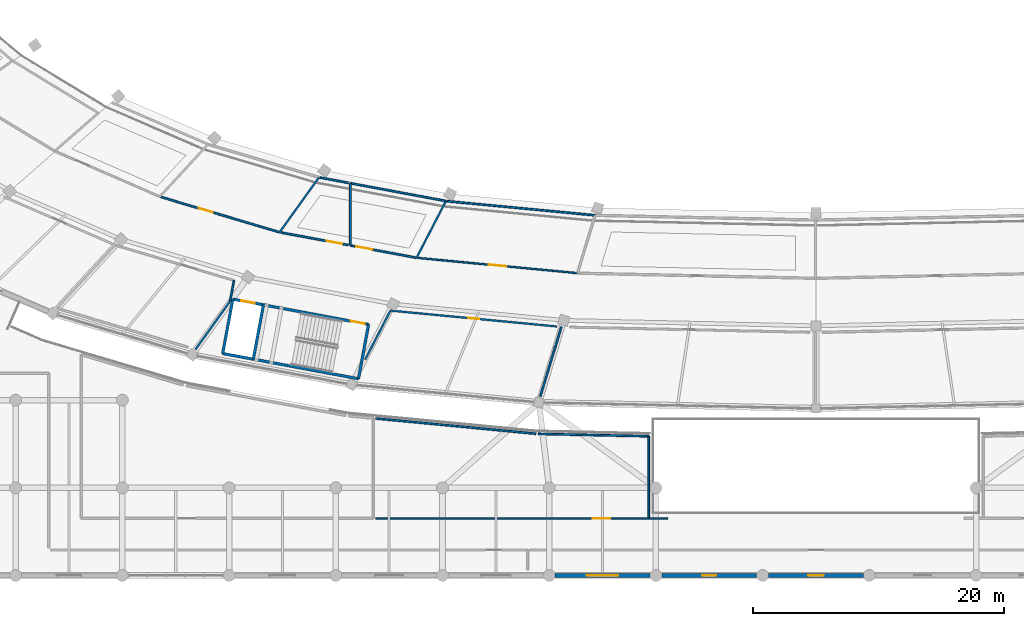
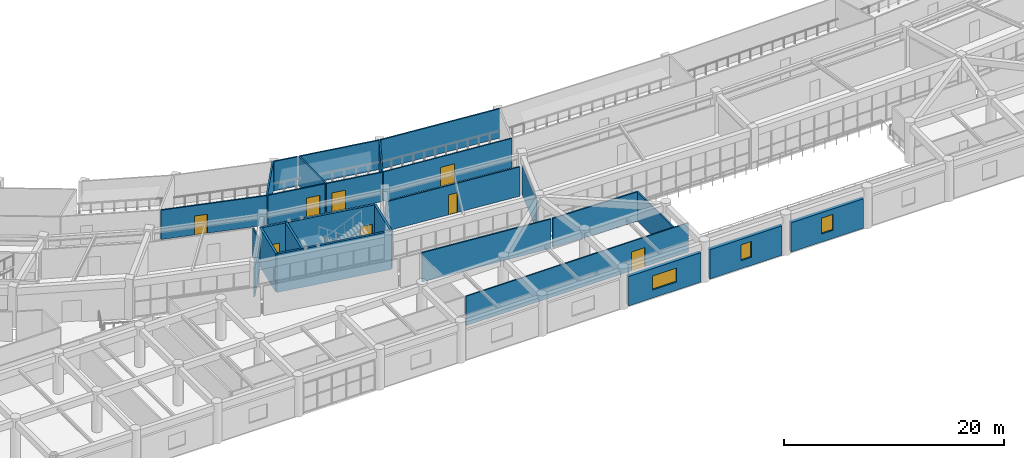
# One storey, part 92 of 141: 27 walls, 8 doors, 3 windows, 11 openings.
"""IFC4 building model written with IfcOpenShell, lengths in metres."""

import ifcopenshell
import ifcopenshell.guid

model = None  # the IFC model being written
_history = None  # IfcOwnerHistory: only IFC2X3 demands one
_inside = {}  # id of a spatial element -> (the spatial element, [elements in it])
_under = {}  # id of a project, library or spatial element -> (it, [spatial elements below it])
_declared = {}  # id of a project -> (the project, [libraries it declares])
_typed = {}  # id of a type object -> (the type object, [elements of that type])
_made_of = {}  # id of a material, layer set ... -> (it, [elements and type objects made of it])


def new_model(schema):
    """Start an empty IFC model of exactly this schema.

    Asked for "IFC4X3", IfcOpenShell would pick the latest addendum, in which some entities
    have other attributes; the version numbers below select the first issue.
    IFC2X3 requires an IfcOwnerHistory on every rooted entity: one is made here for all.
    """
    global model, _history
    if schema == "IFC4X3":
        model = ifcopenshell.file(schema_version=(4, 3, 0, 0))
    else:
        model = ifcopenshell.file(schema=schema)
    _inside.clear()
    _under.clear()
    _declared.clear()
    _typed.clear()
    _made_of.clear()
    _history = None
    if model.schema == "IFC2X3":
        org = make("IfcOrganization", Name="unknown")
        user = make(
            "IfcPersonAndOrganization",
            ThePerson=make("IfcPerson", FamilyName="unknown"),
            TheOrganization=org,
        )
        app = make(
            "IfcApplication",
            ApplicationDeveloper=org,
            Version="unknown",
            ApplicationFullName="unknown",
            ApplicationIdentifier="unknown",
        )
        _history = make(
            "IfcOwnerHistory",
            OwningUser=user,
            OwningApplication=app,
            ChangeAction="ADDED",
            CreationDate=0,
        )
    return model


def make(cls, **values):
    """One entity of the class cls with the attributes given. An attribute that is None is left unset."""
    return model.create_entity(
        cls, **{name: value for name, value in values.items() if value is not None}
    )


def rooted(cls, **values):
    """An entity with a GlobalId (a new one), such as an element, a storey or a relation."""
    return make(cls, GlobalId=ifcopenshell.guid.new(), OwnerHistory=_history, **values)


def si_unit(unit_type, name, prefix=None):
    """IfcSIUnit, for example si_unit("LENGTHUNIT", "METRE", prefix="MILLI")."""
    return make("IfcSIUnit", UnitType=unit_type, Prefix=prefix, Name=name)


def assignment(units):
    """IfcUnitAssignment: the units of a project."""
    return None if units is None else make("IfcUnitAssignment", Units=units)


def point(xyz):
    """IfcCartesianPoint."""
    return None if xyz is None else make("IfcCartesianPoint", Coordinates=xyz)


def direction(xyz):
    """IfcDirection."""
    return None if xyz is None else make("IfcDirection", DirectionRatios=xyz)


def frame(location, z_axis=None, x_axis=None):
    """IfcAxis2Placement3D, a coordinate frame: its origin and axes. An axis left out is left unset."""
    return make(
        "IfcAxis2Placement3D",
        Location=point(location),
        Axis=direction(z_axis),
        RefDirection=direction(x_axis),
    )


def frame_2d(location, x_axis=None):
    """IfcAxis2Placement2D, a coordinate frame in the plane: its origin and x axis."""
    return make(
        "IfcAxis2Placement2D", Location=point(location), RefDirection=direction(x_axis)
    )


def origin():
    """The frame at (0, 0, 0) with its axes left unset."""
    return frame((0.0, 0.0, 0.0))


def place(relative_to, where):
    """IfcLocalPlacement: puts the frame where relative to a parent placement (None: the world)."""
    return make(
        "IfcLocalPlacement", PlacementRelTo=relative_to, RelativePlacement=where
    )


def context(
    kind, dimensions, precision=None, world=None, true_north=None, identifier=None
):
    """IfcGeometricRepresentationContext, for example the 3D "Model" context."""
    return make(
        "IfcGeometricRepresentationContext",
        ContextIdentifier=identifier,
        ContextType=kind,
        CoordinateSpaceDimension=dimensions,
        Precision=precision,
        WorldCoordinateSystem=world,
        TrueNorth=true_north,
    )


def subcontext(parent, identifier, kind, view, scale=None):
    """IfcGeometricRepresentationSubContext, for example "Body" below "Model"."""
    return make(
        "IfcGeometricRepresentationSubContext",
        ContextIdentifier=identifier,
        ContextType=kind,
        ParentContext=parent,
        TargetScale=scale,
        TargetView=view,
    )


def project(units=None, contexts=None):
    """IfcProject with its units and contexts."""
    return rooted(
        "IfcProject",
        Name="project",
        RepresentationContexts=contexts,
        UnitsInContext=assignment(units),
    )


def spatial(cls, under=None, at=None, **own):
    """A site, building, storey or space (cls), placed at a placement, below another one or the project."""
    s = rooted(cls, ObjectPlacement=at, **own)
    if under is not None:
        _under.setdefault(under.id(), (under, []))[1].append(s)
    return s


def profile(cls, at=None, kind="AREA", **sizes):
    """A parametric profile (cls). Its sizes go by their IFC names, for example OverallWidth=200.0."""
    return make(cls, ProfileType=kind, Position=at, **sizes)


def rectangle(**sizes):
    """IfcRectangleProfileDef."""
    return profile("IfcRectangleProfileDef", **sizes)


def extrude(swept, where, along, depth):
    """IfcExtrudedAreaSolid: the profile swept, set in the frame where, extruded along a direction by depth."""
    return make(
        "IfcExtrudedAreaSolid",
        SweptArea=swept,
        Position=where,
        ExtrudedDirection=direction(along),
        Depth=depth,
    )


def shape(context_of_items, identifier, shape_type, items):
    """IfcShapeRepresentation: the items that make up one representation, for example the "Body"."""
    return make(
        "IfcShapeRepresentation",
        ContextOfItems=context_of_items,
        RepresentationIdentifier=identifier,
        RepresentationType=shape_type,
        Items=items,
    )


def material(Name=None, Category=None):
    """IfcMaterial."""
    return make("IfcMaterial", Name=Name, Category=Category)


def layer(
    of_material, thickness, ventilated=None, Name=None, Category=None, Priority=None
):
    """IfcMaterialLayer: one layer of a wall or slab, of a material (None: an air gap)."""
    return make(
        "IfcMaterialLayer",
        Material=of_material,
        LayerThickness=thickness,
        IsVentilated=ventilated,
        Name=Name,
        Category=Category,
        Priority=Priority,
    )


def layer_set(layers, Name=None):
    """IfcMaterialLayerSet."""
    return make("IfcMaterialLayerSet", MaterialLayers=layers, LayerSetName=Name)


def made_of(thing, what):
    """Note that an element or type object is made of a material, layer set ...; save() writes the relation."""
    if what is not None:
        _made_of.setdefault(what.id(), (what, []))[1].append(thing)
    return thing


def type_object(cls, material=None, **own):
    """A type object (cls), such as IfcWallType, which elements share."""
    return made_of(rooted(cls, **own), material)


def element(
    cls,
    number,
    at=None,
    inside=None,
    cuts=None,
    type_object=None,
    material=None,
    context=None,
    identifier="Body",
    shape_type=None,
    held_by="IfcProductDefinitionShape",
    body=None,
    shapes=None,
    **own,
):
    """One element of the class cls, such as IfcWall. Its Tag is "e" and its number.

    at: its placement. inside: the storey or other place that contains it. cuts: it is an
    opening in that element (IfcRelVoidsElement). A single representation is given by context,
    identifier, shape_type and body (its items); several are given by shapes. held_by: the class
    of the entity that holds the representations. save() writes the other relations.
    """
    e = rooted(cls, Tag="e%d" % number, ObjectPlacement=at, **own)
    if body is not None:
        shapes = [shape(context, identifier, shape_type, body)]
    if shapes is not None:
        e.Representation = make(held_by, Representations=shapes)
    if inside is not None:
        _inside.setdefault(inside.id(), (inside, []))[1].append(e)
    if cuts is not None:
        rooted(
            "IfcRelVoidsElement", RelatingBuildingElement=cuts, RelatedOpeningElement=e
        )
    if type_object is not None:
        _typed.setdefault(type_object.id(), (type_object, []))[1].append(e)
    return made_of(e, material)


def fill(opening, filler):
    """IfcRelFillsElement: the door or window that sits in an opening."""
    return rooted(
        "IfcRelFillsElement",
        RelatingOpeningElement=opening,
        RelatedBuildingElement=filler,
    )


def aggregate(whole, parts):
    """IfcRelAggregates: a whole, such as a stair, and the parts it consists of."""
    return rooted("IfcRelAggregates", RelatingObject=whole, RelatedObjects=parts)


def save(model, path):
    """Write the relations noted so far, then the file.

    IfcRelAggregates (storeys below a building ...), IfcRelContainedInSpatialStructure (elements
    in a storey), IfcRelDefinesByType, IfcRelAssociatesMaterial and IfcRelDeclares: one each for
    every whole, place, type object, material and project.
    """
    for whole, parts in _under.values():
        aggregate(whole, parts)
    for where, things in _inside.values():
        rooted(
            "IfcRelContainedInSpatialStructure",
            RelatedElements=things,
            RelatingStructure=where,
        )
    for kind, things in _typed.values():
        rooted("IfcRelDefinesByType", RelatedObjects=things, RelatingType=kind)
    for what, things in _made_of.values():
        rooted("IfcRelAssociatesMaterial", RelatedObjects=things, RelatingMaterial=what)
    for by, libraries in _declared.values():
        rooted("IfcRelDeclares", RelatingContext=by, RelatedDefinitions=libraries)
    model.write(path)


model = new_model("IFC4")

# Units and contexts
model_context = context("Model", 3, precision=1e-05, world=origin(), true_north=direction((0.0, 1.0)))
body_context = subcontext(model_context, "Body", "Model", "MODEL_VIEW")
ifc_project = project(units=[si_unit("LENGTHUNIT", "METRE"), si_unit("AREAUNIT", "SQUARE_METRE"), si_unit("VOLUMEUNIT", "CUBIC_METRE"), si_unit("PLANEANGLEUNIT", "RADIAN"), si_unit("MASSUNIT", "GRAM", prefix="KILO")], contexts=[model_context])

# Site, building, storey
site_placement = place(None, origin())
site = spatial("IfcSite", under=ifc_project, at=site_placement, CompositionType="ELEMENT")
building_placement = place(site_placement, origin())
building = spatial("IfcBuilding", under=site, at=building_placement, Name="Mphavela Belvedere Stadium", CompositionType="ELEMENT")
storey_placement = place(building_placement, frame((0.0, 0.0, 14.699951171875)))
storey = spatial("IfcBuildingStorey", under=building, at=storey_placement, Name="L03", CompositionType="ELEMENT", Elevation=14.699951171875)

# Walls
ifc_material_1 = material(Name="Concrete C40/50", Category="concrete")
ifc_layer_1 = layer(ifc_material_1, 0.219970703125)
ifc_layer_set_1 = layer_set([ifc_layer_1], Name="Concrete C40/50")
wall_type_1 = type_object("IfcWallType", Name="WAL-CORE-SHEAR-220", PredefinedType="SHEAR", material=ifc_layer_set_1)
wall_1_placement = place(storey_placement, frame((78.477294921875, 15.707275390625, 0.0), z_axis=(0.0, 0.0, 1.0), x_axis=(-0.983093434234, 0.183104613723, 0.0)))
element("IfcWall", 1, at=wall_1_placement, inside=storey, type_object=wall_type_1, Name="Core C11 shear wall L03 rear", PredefinedType="SHEAR", context=body_context, shape_type="SweptSolid", body=[
    extrude(rectangle(XDim=11.02001953125, YDim=0.219970703125, at=frame_2d((5.510009765625, 0.0))), origin(), (0.0, 0.0, 1.0), 4.25),
])
for number, where, z_axis, x_axis, name in (
    (2, (79.28466796875, 20.042724609375, 0.0), (0.0, 0.0, 1.0), (-0.183078394814, -0.983098317236, 0.0), "Core C11 shear wall L03 left"),
    (3, (68.450927734375, 22.060546875, 0.0), (0.0, 0.0, 1.0), (-0.183078394814, -0.983098317236, 0.0), "Core C11 shear wall L03 right"),
):
    element("IfcWall", number, at=place(storey_placement, frame(where, z_axis=z_axis, x_axis=x_axis)), inside=storey, type_object=wall_type_1, Name=name, PredefinedType="SHEAR", context=body_context, shape_type="SweptSolid", body=[
        extrude(rectangle(XDim=4.409912109375, YDim=0.219970703125, at=frame_2d((2.205078125, 0.0))), origin(), (0.0, 0.0, 1.0), 4.25),
    ])

# Wall, openings, doors
wall_2_placement = place(storey_placement, frame((79.28466796875, 20.042724609375, 0.0), z_axis=(0.0, 0.0, 1.0), x_axis=(-0.983093434234, 0.183104613723, 0.0)))
wall_2 = element("IfcWall", 4, at=wall_2_placement, inside=storey, type_object=wall_type_1, Name="Core C11 shear wall L03 front", PredefinedType="SHEAR", context=body_context, shape_type="SweptSolid", body=[
    extrude(rectangle(XDim=11.02001953125, YDim=0.219970703125, at=frame_2d((5.510009765625, 0.0))), origin(), (0.0, 0.0, 1.0), 4.25),
])
opening_1_placement = place(wall_2_placement, frame((0.300048828125, 0.0, 0.0)))
opening_1 = element("IfcOpeningElement", 5, at=opening_1_placement, cuts=wall_2, Name="Opening SD-060", PredefinedType="OPENING", context=body_context, shape_type="SweptSolid", body=[
    extrude(rectangle(XDim=1.14990234375, YDim=2.14990234375, at=frame_2d((0.574951171875, 1.074951171875))), frame((0.0, 0.1201171875, 0.0), z_axis=(0.0, -1.0, 0.0), x_axis=(1.0, 0.0, 0.0)), (0.0, 0.0, 1.0), 0.239990234375),
])
opening_2_placement = place(wall_2_placement, frame((9.22998046875, 0.0, 0.0)))
opening_2 = element("IfcOpeningElement", 6, at=opening_2_placement, cuts=wall_2, Name="Opening LD-060", PredefinedType="OPENING", context=body_context, shape_type="SweptSolid", body=[
    extrude(rectangle(XDim=1.10009765625, YDim=2.14990234375, at=frame_2d((0.550048828125, 1.074951171875))), frame((0.0, 0.1201171875, 0.0), z_axis=(0.0, -1.0, 0.0), x_axis=(1.0, 0.0, 0.0)), (0.0, 0.0, 1.0), 0.239990234375),
])
ifc_material_2 = material(Name="Stainless steel center-parting lift landing door", Category="steel")
door_type_1 = type_object("IfcDoorType", Name="DR-LIFT-SLIDE-1100", OperationType="NOTDEFINED", PredefinedType="DOOR", material=ifc_material_2)
door_1_placement = place(opening_2_placement, origin())
door_1 = element("IfcDoor", 7, at=door_1_placement, inside=storey, type_object=door_type_1, Name="Lift landing sliding door PL05 L03", OperationType="DOUBLE_DOOR_SLIDING", OverallHeight=2.14990234375, OverallWidth=1.10009765625, PredefinedType="DOOR", context=body_context, shape_type="SweptSolid", body=[
    extrude(rectangle(XDim=1.10009765625, YDim=2.14990234375, at=frame_2d((0.550048828125, 1.074951171875))), frame((0.0, 0.02490234375, 0.0), z_axis=(0.0, -1.0, 0.0), x_axis=(1.0, 0.0, 0.0)), (0.0, 0.0, 1.0), 0.050048828125),
])
fill(opening_2, door_1)
ifc_material_3 = material(Name="Steel acoustic fire-resisting stair doorset", Category="steel")
door_type_2 = type_object("IfcDoorType", Name="DR-STAIR-FIRE-1150", OperationType="NOTDEFINED", PredefinedType="DOOR", material=ifc_material_3)
door_2_placement = place(opening_1_placement, origin())
door_2 = element("IfcDoor", 8, at=door_2_placement, inside=storey, type_object=door_type_2, Name="Escape stair fire door C11 L03", OperationType="SINGLE_SWING_RIGHT", OverallHeight=2.14990234375, OverallWidth=1.14990234375, PredefinedType="DOOR", context=body_context, shape_type="SweptSolid", body=[
    extrude(rectangle(XDim=1.14990234375, YDim=2.14990234375, at=frame_2d((0.574951171875, 1.074951171875))), frame((0.0, 0.02490234375, 0.0), z_axis=(0.0, -1.0, 0.0), x_axis=(1.0, 0.0, 0.0)), (0.0, 0.0, 1.0), 0.050048828125),
])
fill(opening_1, door_2)

# Wall
wall_3_placement = place(storey_placement, frame((70.888916015625, 21.6064453125, 0.0), z_axis=(0.0, 0.0, 1.0), x_axis=(-0.183078394814, -0.983098317236, 0.0)))
element("IfcWall", 9, at=wall_3_placement, inside=storey, type_object=wall_type_1, Name="Core C11 shear wall L03 div", PredefinedType="SHEAR", context=body_context, shape_type="SweptSolid", body=[
    extrude(rectangle(XDim=4.409912109375, YDim=0.219970703125, at=frame_2d((2.205078125, 0.0))), origin(), (0.0, 0.0, 1.0), 4.25),
])

# Wall, opening, window
ifc_material_4 = material(Name="Honed ashlar limestone masonry", Category="masonry")
ifc_layer_2 = layer(ifc_material_4, 0.35009765625)
ifc_layer_set_2 = layer_set([ifc_layer_2], Name="Honed ashlar limestone masonry")
wall_type_2 = type_object("IfcWallType", Name="WAL-EXT-ASHLAR-350", PredefinedType="STANDARD", material=ifc_layer_set_2)
wall_4_placement = place(storey_placement, frame((101.7490234375, 0.0, 0.0), z_axis=(0.0, 0.0, 1.0), x_axis=(-1.0, 0.0, 0.0)))
wall_4 = element("IfcWall", 10, at=wall_4_placement, inside=storey, type_object=wall_type_2, Name="South Axial Triumphal Peristyle Portico outer facade bay L03-12", PredefinedType="STANDARD", context=body_context, shape_type="SweptSolid", body=[
    extrude(rectangle(XDim=7.572021484375, YDim=0.35009765625, at=frame_2d((3.7861328125, 0.0))), origin(), (0.0, 0.0, 1.0), 3.260009765625),
])
opening_3_placement = place(wall_4_placement, frame((2.52587890625, 0.0, 0.89990234375)))
opening_3 = element("IfcOpeningElement", 11, at=opening_3_placement, cuts=wall_4, Name="Opening W-099", PredefinedType="OPENING", context=body_context, shape_type="SweptSolid", body=[
    extrude(rectangle(XDim=2.52001953125, YDim=1.550048828125, at=frame_2d((1.260009765625, 0.77490234375))), frame((0.0, 0.18505859375, 0.0), z_axis=(0.0, -1.0, 0.0), x_axis=(1.0, 0.0, 0.0)), (0.0, 0.0, 1.0), 0.3701171875),
])
ifc_material_5 = material(Name="Bronze-anodised thermally broken aluminium window", Category="aluminium")
window_type_1 = type_object("IfcWindowType", Name="WIN-EXT-11", PartitioningType="SINGLE_PANEL", PredefinedType="WINDOW", material=ifc_material_5)
window_1_placement = place(opening_3_placement, origin())
window_1 = element("IfcWindow", 12, at=window_1_placement, inside=storey, type_object=window_type_1, Name="South Axial Triumphal Peristyle Portico classical window W-099", OverallHeight=1.550048828125, OverallWidth=2.52001953125, PartitioningType="SINGLE_PANEL", PredefinedType="WINDOW", context=body_context, shape_type="SweptSolid", body=[
    extrude(rectangle(XDim=2.52001953125, YDim=1.550048828125, at=frame_2d((1.260009765625, 0.77490234375))), frame((0.0, 0.030029296875, 0.0), z_axis=(0.0, -1.0, 0.0), x_axis=(1.0, 0.0, 0.0)), (0.0, 0.0, 1.0), 0.06005859375),
])
fill(opening_3, window_1)

wall_5_placement = place(storey_placement, frame((110.26806640625, 0.0, 0.0), z_axis=(0.0, 0.0, 1.0), x_axis=(-1.0, 0.0, 0.0)))
wall_5 = element("IfcWall", 13, at=wall_5_placement, inside=storey, type_object=wall_type_2, Name="South Axial Triumphal Peristyle Portico outer facade bay L03-13", PredefinedType="STANDARD", context=body_context, shape_type="SweptSolid", body=[
    extrude(rectangle(XDim=7.572998046875, YDim=0.35009765625, at=frame_2d((3.78662109375, 0.0))), origin(), (0.0, 0.0, 1.0), 3.260009765625),
])
opening_4_placement = place(wall_5_placement, frame((3.236572265625, 0.0, 0.89990234375)))
opening_4 = element("IfcOpeningElement", 14, at=opening_4_placement, cuts=wall_5, Name="Opening W-100", PredefinedType="OPENING", context=body_context, shape_type="SweptSolid", body=[
    extrude(rectangle(XDim=1.10009765625, YDim=1.75, at=frame_2d((0.550048828125, 0.875))), frame((0.0, 0.18505859375, 0.0), z_axis=(0.0, -1.0, 0.0), x_axis=(1.0, 0.0, 0.0)), (0.0, 0.0, 1.0), 0.3701171875),
])
ifc_material_6 = material(Name="Bronze-anodised thermally broken aluminium window", Category="aluminium")
window_type_2 = type_object("IfcWindowType", Name="WIN-EXT-12", PartitioningType="SINGLE_PANEL", PredefinedType="WINDOW", material=ifc_material_6)
window_2_placement = place(opening_4_placement, origin())
window_2 = element("IfcWindow", 15, at=window_2_placement, inside=storey, type_object=window_type_2, Name="South Axial Triumphal Peristyle Portico classical window W-100", OverallHeight=1.75, OverallWidth=1.10009765625, PartitioningType="SINGLE_PANEL", PredefinedType="WINDOW", context=body_context, shape_type="SweptSolid", body=[
    extrude(rectangle(XDim=1.10009765625, YDim=1.75, at=frame_2d((0.550048828125, 0.875))), frame((0.0, 0.030029296875, 0.0), z_axis=(0.0, -1.0, 0.0), x_axis=(1.0, 0.0, 0.0)), (0.0, 0.0, 1.0), 0.06005859375),
])
fill(opening_4, window_2)

wall_6_placement = place(storey_placement, frame((118.785888671875, 0.0, 0.0), z_axis=(0.0, 0.0, 1.0), x_axis=(-1.0, 0.0, 0.0)))
wall_6 = element("IfcWall", 16, at=wall_6_placement, inside=storey, type_object=wall_type_2, Name="South Axial Triumphal Peristyle Portico outer facade bay L03-14", PredefinedType="STANDARD", context=body_context, shape_type="SweptSolid", body=[
    extrude(rectangle(XDim=7.57177734375, YDim=0.35009765625, at=frame_2d((3.785888671875, 0.0))), origin(), (0.0, 0.0, 1.0), 3.260009765625),
])
opening_5_placement = place(wall_6_placement, frame((3.166015625, 0.0, 0.89990234375)))
opening_5 = element("IfcOpeningElement", 17, at=opening_5_placement, cuts=wall_6, Name="Opening W-101", PredefinedType="OPENING", context=body_context, shape_type="SweptSolid", body=[
    extrude(rectangle(XDim=1.239990234375, YDim=1.75, at=frame_2d((0.6201171875, 0.875))), frame((0.0, 0.18505859375, 0.0), z_axis=(0.0, -1.0, 0.0), x_axis=(1.0, 0.0, 0.0)), (0.0, 0.0, 1.0), 0.3701171875),
])
ifc_material_7 = material(Name="Bronze-anodised thermally broken aluminium window", Category="aluminium")
window_type_3 = type_object("IfcWindowType", Name="WIN-EXT-13", PartitioningType="SINGLE_PANEL", PredefinedType="WINDOW", material=ifc_material_7)
window_3_placement = place(opening_5_placement, origin())
window_3 = element("IfcWindow", 18, at=window_3_placement, inside=storey, type_object=window_type_3, Name="South Axial Triumphal Peristyle Portico classical window W-101", OverallHeight=1.75, OverallWidth=1.239990234375, PartitioningType="SINGLE_PANEL", PredefinedType="WINDOW", context=body_context, shape_type="SweptSolid", body=[
    extrude(rectangle(XDim=1.239990234375, YDim=1.75, at=frame_2d((0.6201171875, 0.875))), frame((0.0, 0.030029296875, 0.0), z_axis=(0.0, -1.0, 0.0), x_axis=(1.0, 0.0, 0.0)), (0.0, 0.0, 1.0), 0.06005859375),
])
fill(opening_5, window_3)

# Wall, opening, door
ifc_material_8 = material(Name="Moisture-resistant sanitary partition assembly")
ifc_layer_3 = layer(ifc_material_8, 0.125)
ifc_layer_set_3 = layer_set([ifc_layer_3], Name="Moisture-resistant sanitary partition assembly")
wall_type_3 = type_object("IfcWallType", Name="WAL-PART-125", PredefinedType="PARTITIONING", material=ifc_layer_set_3)
wall_7_placement = place(storey_placement, frame((95.965087890625, 24.1376953125, 0.0), z_axis=(0.0, 0.0, 1.0), x_axis=(-0.995485111947, 0.094917816515, 0.0)))
wall_7 = element("IfcWall", 19, at=wall_7_placement, inside=storey, type_object=wall_type_3, Name="Room L03-125 corridor partition", PredefinedType="PARTITIONING", context=body_context, shape_type="SweptSolid", body=[
    extrude(rectangle(XDim=12.822021484375, YDim=0.125, at=frame_2d((6.4111328125, 0.0))), origin(), (0.0, 0.0, 1.0), 3.25),
])
opening_6_placement = place(wall_7_placement, frame((5.7109375, 0.0, 0.0)))
opening_6 = element("IfcOpeningElement", 20, at=opening_6_placement, cuts=wall_7, Name="Opening ID-300", PredefinedType="OPENING", context=body_context, shape_type="SweptSolid", body=[
    extrude(rectangle(XDim=1.39990234375, YDim=2.10009765625, at=frame_2d((0.699951171875, 1.050048828125))), frame((0.0, 0.072509765625, 0.0), z_axis=(0.0, -1.0, 0.0), x_axis=(1.0, 0.0, 0.0)), (0.0, 0.0, 1.0), 0.14501953125),
])
ifc_material_9 = material(Name="Hardwood acoustic timber doorset", Category="wood")
door_type_3 = type_object("IfcDoorType", Name="DR-INT-12", OperationType="NOTDEFINED", PredefinedType="DOOR", material=ifc_material_9)
door_3_placement = place(opening_6_placement, origin())
door_3 = element("IfcDoor", 21, at=door_3_placement, inside=storey, type_object=door_type_3, Name="Room L03-125 entrance door ID-300", OperationType="SINGLE_SWING_RIGHT", OverallHeight=2.10009765625, OverallWidth=1.39990234375, PredefinedType="DOOR", context=body_context, shape_type="SweptSolid", body=[
    extrude(rectangle(XDim=1.39990234375, YDim=2.10009765625, at=frame_2d((0.699951171875, 1.050048828125))), frame((0.0, 0.02490234375, 0.0), z_axis=(0.0, -1.0, 0.0), x_axis=(1.0, 0.0, 0.0)), (0.0, 0.0, 1.0), 0.050048828125),
])
fill(opening_6, door_3)

wall_8_placement = place(storey_placement, frame((103.152099609375, 4.56005859375, 0.0), z_axis=(0.0, 0.0, 1.0), x_axis=(-1.0, 0.0, 0.0)))
wall_8 = element("IfcWall", 22, at=wall_8_placement, inside=storey, type_object=wall_type_3, Name="Room L03-172 corridor partition", PredefinedType="PARTITIONING", context=body_context, shape_type="SweptSolid", body=[
    extrude(rectangle(XDim=23.296142578125, YDim=0.125, at=frame_2d((11.64794921875, 0.0))), origin(), (0.0, 0.0, 1.0), 3.25),
])
opening_7_placement = place(wall_8_placement, frame((4.5712890625, 0.0, 0.0)))
opening_7 = element("IfcOpeningElement", 23, at=opening_7_placement, cuts=wall_8, Name="Opening ID-408", PredefinedType="OPENING", context=body_context, shape_type="SweptSolid", body=[
    extrude(rectangle(XDim=1.39990234375, YDim=2.10009765625, at=frame_2d((0.699951171875, 1.050048828125))), frame((0.0, 0.072509765625, 0.0), z_axis=(0.0, -1.0, 0.0), x_axis=(1.0, 0.0, 0.0)), (0.0, 0.0, 1.0), 0.14501953125),
])
door_4_placement = place(opening_7_placement, origin())
door_4 = element("IfcDoor", 24, at=door_4_placement, inside=storey, type_object=door_type_3, Name="Room L03-172 entrance door ID-408", OperationType="SINGLE_SWING_RIGHT", OverallHeight=2.10009765625, OverallWidth=1.39990234375, PredefinedType="DOOR", context=body_context, shape_type="SweptSolid", body=[
    extrude(rectangle(XDim=1.39990234375, YDim=2.10009765625, at=frame_2d((0.699951171875, 1.050048828125))), frame((0.0, 0.02490234375, 0.0), z_axis=(0.0, -1.0, 0.0), x_axis=(1.0, 0.0, 0.0)), (0.0, 0.0, 1.0), 0.050048828125),
])
fill(opening_7, door_4)

ifc_material_10 = material(Name="Acoustic gypsum stud partition assembly")
ifc_layer_4 = layer(ifc_material_10, 0.14990234375)
ifc_layer_set_4 = layer_set([ifc_layer_4], Name="Acoustic gypsum stud partition assembly")
wall_type_4 = type_object("IfcWallType", Name="WAL-PART-150", PredefinedType="PARTITIONING", material=ifc_layer_set_4)
wall_9_placement = place(storey_placement, frame((72.183349609375, 27.404296875, 0.0), z_axis=(0.0, 0.0, 1.0), x_axis=(-0.958655809656, 0.284568161629, 0.0)))
wall_9 = element("IfcWall", 25, at=wall_9_placement, inside=storey, type_object=wall_type_4, Name="Room L03-119 corridor partition", PredefinedType="PARTITIONING", context=body_context, shape_type="SweptSolid", body=[
    extrude(rectangle(XDim=9.89111328125, YDim=0.14990234375, at=frame_2d((4.945556640625, 0.0))), origin(), (0.0, 0.0, 1.0), 3.25),
])
opening_8_placement = place(wall_9_placement, frame((5.566162109375, 0.0, 0.0)))
opening_8 = element("IfcOpeningElement", 26, at=opening_8_placement, cuts=wall_9, Name="Opening ID-296", PredefinedType="OPENING", context=body_context, shape_type="SweptSolid", body=[
    extrude(rectangle(XDim=1.179931640625, YDim=2.10009765625, at=frame_2d((0.58984375, 1.050048828125))), frame((0.0, 0.0849609375, 0.0), z_axis=(0.0, -1.0, 0.0), x_axis=(1.0, 0.0, 0.0)), (0.0, 0.0, 1.0), 0.169921875),
])
ifc_material_11 = material(Name="Hardwood acoustic timber doorset", Category="wood")
door_type_4 = type_object("IfcDoorType", Name="DR-INT-08", OperationType="NOTDEFINED", PredefinedType="DOOR", material=ifc_material_11)
door_5_placement = place(opening_8_placement, origin())
door_5 = element("IfcDoor", 27, at=door_5_placement, inside=storey, type_object=door_type_4, Name="Room L03-119 entrance door ID-296", OperationType="SINGLE_SWING_RIGHT", OverallHeight=2.10009765625, OverallWidth=1.179931640625, PredefinedType="DOOR", context=body_context, shape_type="SweptSolid", body=[
    extrude(rectangle(XDim=1.179931640625, YDim=2.10009765625, at=frame_2d((0.58984375, 1.050048828125))), frame((0.0, 0.02490234375, 0.0), z_axis=(0.0, -1.0, 0.0), x_axis=(1.0, 0.0, 0.0)), (0.0, 0.0, 1.0), 0.050048828125),
])
fill(opening_8, door_5)

wall_10_placement = place(storey_placement, frame((77.668701171875, 26.3798828125, 0.0), z_axis=(0.0, 0.0, 1.0), x_axis=(-0.983092857309, 0.183107711217, 0.0)))
wall_10 = element("IfcWall", 28, at=wall_10_placement, inside=storey, type_object=wall_type_4, Name="Room L03-122 corridor partition", PredefinedType="PARTITIONING", context=body_context, shape_type="SweptSolid", body=[
    extrude(rectangle(XDim=5.4931640625, YDim=0.14990234375, at=frame_2d((2.74658203125, 0.0))), origin(), (0.0, 0.0, 1.0), 3.25),
])
opening_9_placement = place(wall_10_placement, frame((0.499755859375, 0.0, 0.0)))
opening_9 = element("IfcOpeningElement", 29, at=opening_9_placement, cuts=wall_10, Name="Opening ID-298", PredefinedType="OPENING", context=body_context, shape_type="SweptSolid", body=[
    extrude(rectangle(XDim=1.260009765625, YDim=2.10009765625, at=frame_2d((0.6298828125, 1.050048828125))), frame((0.0, 0.0849609375, 0.0), z_axis=(0.0, -1.0, 0.0), x_axis=(1.0, 0.0, 0.0)), (0.0, 0.0, 1.0), 0.169921875),
])
ifc_material_12 = material(Name="Hardwood acoustic timber doorset", Category="wood")
door_type_5 = type_object("IfcDoorType", Name="DR-INT-10", OperationType="NOTDEFINED", PredefinedType="DOOR", material=ifc_material_12)
door_6_placement = place(opening_9_placement, origin())
door_6 = element("IfcDoor", 30, at=door_6_placement, inside=storey, type_object=door_type_5, Name="Room L03-122 entrance door ID-298", OperationType="SINGLE_SWING_RIGHT", OverallHeight=2.10009765625, OverallWidth=1.260009765625, PredefinedType="DOOR", context=body_context, shape_type="SweptSolid", body=[
    extrude(rectangle(XDim=1.260009765625, YDim=2.10009765625, at=frame_2d((0.6298828125, 1.050048828125))), frame((0.0, 0.02490234375, 0.0), z_axis=(0.0, -1.0, 0.0), x_axis=(1.0, 0.0, 0.0)), (0.0, 0.0, 1.0), 0.050048828125),
])
fill(opening_9, door_6)

wall_11_placement = place(storey_placement, frame((83.116455078125, 25.365478515625, 0.0), z_axis=(0.0, 0.0, 1.0), x_axis=(-0.983102134935, 0.183057893263, 0.0)))
wall_11 = element("IfcWall", 31, at=wall_11_placement, inside=storey, type_object=wall_type_4, Name="Room L03-123 corridor partition", PredefinedType="PARTITIONING", context=body_context, shape_type="SweptSolid", body=[
    extrude(rectangle(XDim=5.378662109375, YDim=0.14990234375, at=frame_2d((2.689453125, 0.0))), origin(), (0.0, 0.0, 1.0), 3.25),
])
opening_10_placement = place(wall_11_placement, frame((3.567626953125, 0.0, 0.0)))
opening_10 = element("IfcOpeningElement", 32, at=opening_10_placement, cuts=wall_11, Name="Opening ID-299", PredefinedType="OPENING", context=body_context, shape_type="SweptSolid", body=[
    extrude(rectangle(XDim=1.320068359375, YDim=2.10009765625, at=frame_2d((0.66015625, 1.050048828125))), frame((0.0, 0.0849609375, 0.0), z_axis=(0.0, -1.0, 0.0), x_axis=(1.0, 0.0, 0.0)), (0.0, 0.0, 1.0), 0.169921875),
])
ifc_material_13 = material(Name="Hardwood acoustic timber doorset", Category="wood")
door_type_6 = type_object("IfcDoorType", Name="DR-INT-11", OperationType="NOTDEFINED", PredefinedType="DOOR", material=ifc_material_13)
door_7_placement = place(opening_10_placement, origin())
door_7 = element("IfcDoor", 33, at=door_7_placement, inside=storey, type_object=door_type_6, Name="Room L03-123 entrance door ID-299", OperationType="SINGLE_SWING_LEFT", OverallHeight=2.10009765625, OverallWidth=1.320068359375, PredefinedType="DOOR", context=body_context, shape_type="SweptSolid", body=[
    extrude(rectangle(XDim=1.320068359375, YDim=2.10009765625, at=frame_2d((0.66015625, 1.050048828125))), frame((0.0, 0.02490234375, 0.0), z_axis=(0.0, -1.0, 0.0), x_axis=(1.0, 0.0, 0.0)), (0.0, 0.0, 1.0), 0.050048828125),
])
fill(opening_10, door_7)

wall_12_placement = place(storey_placement, frame((81.028076171875, 21.148193359375, 0.0), z_axis=(0.0, 0.0, 1.0), x_axis=(0.995484535327, -0.094923863827, 0.0)))
wall_12 = element("IfcWall", 34, at=wall_12_placement, inside=storey, type_object=wall_type_4, Name="Room L03-126 corridor partition", PredefinedType="PARTITIONING", context=body_context, shape_type="SweptSolid", body=[
    extrude(rectangle(XDim=13.35107421875, YDim=0.14990234375, at=frame_2d((6.675537109375, 0.0))), origin(), (0.0, 0.0, 1.0), 3.25),
])
opening_11_placement = place(wall_12_placement, frame((6.2255859375, 0.0, 0.0)))
opening_11 = element("IfcOpeningElement", 35, at=opening_11_placement, cuts=wall_12, Name="Opening ID-301", PredefinedType="OPENING", context=body_context, shape_type="SweptSolid", body=[
    extrude(rectangle(XDim=0.89990234375, YDim=2.199951171875, at=frame_2d((0.449951171875, 1.10009765625))), frame((0.0, 0.0849609375, 0.0), z_axis=(0.0, -1.0, 0.0), x_axis=(1.0, 0.0, 0.0)), (0.0, 0.0, 1.0), 0.169921875),
])
ifc_material_14 = material(Name="Hardwood acoustic timber doorset", Category="wood")
door_type_7 = type_object("IfcDoorType", Name="DR-INT-13", OperationType="NOTDEFINED", PredefinedType="DOOR", material=ifc_material_14)
door_8_placement = place(opening_11_placement, origin())
door_8 = element("IfcDoor", 36, at=door_8_placement, inside=storey, type_object=door_type_7, Name="Room L03-126 entrance door ID-301", OperationType="SINGLE_SWING_LEFT", OverallHeight=2.199951171875, OverallWidth=0.89990234375, PredefinedType="DOOR", context=body_context, shape_type="SweptSolid", body=[
    extrude(rectangle(XDim=0.89990234375, YDim=2.199951171875, at=frame_2d((0.449951171875, 1.10009765625))), frame((0.0, 0.02490234375, 0.0), z_axis=(0.0, -1.0, 0.0), x_axis=(1.0, 0.0, 0.0)), (0.0, 0.0, 1.0), 0.050048828125),
])
fill(opening_11, door_8)

# Walls
wall_13_placement = place(storey_placement, frame((75.32861328125, 31.78759765625, 0.0), z_axis=(0.0, 0.0, 1.0), x_axis=(-0.582996203878, -0.812474877313, 0.0)))
element("IfcWall", 37, at=wall_13_placement, inside=storey, type_object=wall_type_4, Name="Room divider partition L03-0534", PredefinedType="PARTITIONING", context=body_context, shape_type="SweptSolid", body=[
    extrude(rectangle(XDim=5.39501953125, YDim=0.14990234375, at=frame_2d((2.697509765625, 0.0))), origin(), (0.0, 0.0, 1.0), 3.25),
])
wall_14_placement = place(storey_placement, frame((68.536865234375, 23.55908203125, 0.0), z_axis=(0.0, 0.0, 1.0), x_axis=(-0.183185863857, -0.983078297636, 0.0)))
element("IfcWall", 38, at=wall_14_placement, inside=storey, type_object=wall_type_4, Name="Room divider partition L03-0535", PredefinedType="PARTITIONING", context=body_context, shape_type="SweptSolid", body=[
    extrude(rectangle(XDim=1.697998046875, YDim=0.14990234375, at=frame_2d((0.84912109375, 0.0))), origin(), (0.0, 0.0, 1.0), 3.25),
])
wall_15_placement = place(storey_placement, frame((68.225830078125, 21.889892578125, 0.0), z_axis=(0.0, 0.0, 1.0), x_axis=(-0.583007019162, -0.812467116632, 0.0)))
element("IfcWall", 39, at=wall_15_placement, inside=storey, type_object=wall_type_4, Name="Room divider partition L03-0536", PredefinedType="PARTITIONING", context=body_context, shape_type="SweptSolid", body=[
    extrude(rectangle(XDim=4.73583984375, YDim=0.14990234375, at=frame_2d((2.367919921875, 0.0))), origin(), (0.0, 0.0, 1.0), 3.25),
])
wall_16_placement = place(storey_placement, frame((75.41162109375, 31.765869140625, 0.0), z_axis=(0.0, 0.0, 1.0), x_axis=(0.98309178423, -0.183113472412, 0.0)))
element("IfcWall", 40, at=wall_16_placement, inside=storey, type_object=wall_type_4, Name="Room divider partition L03-0538", PredefinedType="PARTITIONING", context=body_context, shape_type="SweptSolid", body=[
    extrude(rectangle(XDim=2.2958984375, YDim=0.14990234375, at=frame_2d((1.14794921875, 0.0))), origin(), (0.0, 0.0, 1.0), 3.25),
])
wall_17_placement = place(storey_placement, frame((85.456298828125, 29.89501953125, 0.0), z_axis=(0.0, 0.0, 1.0), x_axis=(-0.458955164524, -0.888459428987, 0.0)))
element("IfcWall", 41, at=wall_17_placement, inside=storey, type_object=wall_type_4, Name="Room divider partition L03-0539", PredefinedType="PARTITIONING", context=body_context, shape_type="SweptSolid", body=[
    extrude(rectangle(XDim=5.09814453125, YDim=0.14990234375, at=frame_2d((2.549072265625, 0.0))), origin(), (0.0, 0.0, 1.0), 3.25),
])
wall_18_placement = place(storey_placement, frame((77.82861328125, 26.35009765625, 0.0), z_axis=(0.0, 0.0, 1.0), x_axis=(0.0, 1.0, 0.0)))
element("IfcWall", 42, at=wall_18_placement, inside=storey, type_object=wall_type_4, Name="Room divider partition L03-0540", PredefinedType="PARTITIONING", context=body_context, shape_type="SweptSolid", body=[
    extrude(rectangle(XDim=4.965576171875, YDim=0.14990234375, at=frame_2d((2.48291015625, 0.0))), origin(), (0.0, 0.0, 1.0), 3.25),
])
wall_19_placement = place(storey_placement, frame((77.82861328125, 31.315673828125, 0.0), z_axis=(0.0, 0.0, 1.0), x_axis=(0.983094106907, -0.183101002083, 0.0)))
element("IfcWall", 43, at=wall_19_placement, inside=storey, type_object=wall_type_4, Name="Room divider partition L03-0541", PredefinedType="PARTITIONING", context=body_context, shape_type="SweptSolid", body=[
    extrude(rectangle(XDim=7.7587890625, YDim=0.14990234375, at=frame_2d((3.87939453125, 0.0))), origin(), (0.0, 0.0, 1.0), 3.25),
])
wall_20_placement = place(storey_placement, frame((85.539794921875, 29.882080078125, 0.0), z_axis=(0.0, 0.0, 1.0), x_axis=(0.995483914052, -0.094930379031, 0.0)))
element("IfcWall", 44, at=wall_20_placement, inside=storey, type_object=wall_type_4, Name="Room divider partition L03-0542", PredefinedType="PARTITIONING", context=body_context, shape_type="SweptSolid", body=[
    extrude(rectangle(XDim=11.8740234375, YDim=0.14990234375, at=frame_2d((5.93701171875, 0.0))), origin(), (0.0, 0.0, 1.0), 3.25),
])
wall_21_placement = place(storey_placement, frame((79.005615234375, 17.23291015625, 0.0), z_axis=(0.0, 0.0, 1.0), x_axis=(0.458942068402, 0.888466193983, 0.0)))
element("IfcWall", 45, at=wall_21_placement, inside=storey, type_object=wall_type_4, Name="Room divider partition L03-0544", PredefinedType="PARTITIONING", context=body_context, shape_type="SweptSolid", body=[
    extrude(rectangle(XDim=4.40673828125, YDim=0.14990234375, at=frame_2d((2.203369140625, 0.0))), origin(), (0.0, 0.0, 1.0), 3.25),
])
wall_22_placement = place(storey_placement, frame((94.6689453125, 19.847412109375, 0.0), z_axis=(0.0, 0.0, 1.0), x_axis=(-0.289236092688, -0.957257793223, 0.0)))
element("IfcWall", 46, at=wall_22_placement, inside=storey, type_object=wall_type_4, Name="Room divider partition L03-0545", PredefinedType="PARTITIONING", context=body_context, shape_type="SweptSolid", body=[
    extrude(rectangle(XDim=5.798828125, YDim=0.14990234375, at=frame_2d((2.8994140625, 0.0))), origin(), (0.0, 0.0, 1.0), 3.25),
])
wall_23_placement = place(storey_placement, frame((92.83154296875, 11.306884765625, 0.0), z_axis=(0.0, 0.0, 1.0), x_axis=(0.999768109674, -0.021534318641, 0.0)))
element("IfcWall", 47, at=wall_23_placement, inside=storey, type_object=wall_type_4, Name="Room divider partition L03-0825", PredefinedType="PARTITIONING", context=body_context, shape_type="SweptSolid", body=[
    extrude(rectangle(XDim=8.8203125, YDim=0.14990234375, at=frame_2d((4.41015625, 0.0))), origin(), (0.0, 0.0, 1.0), 3.25),
])
wall_24_placement = place(storey_placement, frame((101.64990234375, 11.116943359375, 0.0), z_axis=(0.0, 0.0, 1.0), x_axis=(0.0, -1.0, 0.0)))
element("IfcWall", 48, at=wall_24_placement, inside=storey, type_object=wall_type_4, Name="Room divider partition L03-0826", PredefinedType="PARTITIONING", context=body_context, shape_type="SweptSolid", body=[
    extrude(rectangle(XDim=6.467041015625, YDim=0.14990234375, at=frame_2d((3.2333984375, 0.0))), origin(), (0.0, 0.0, 1.0), 3.25),
])
wall_25_placement = place(storey_placement, frame((79.85595703125, 12.537353515625, 0.0), z_axis=(0.0, 0.0, 1.0), x_axis=(0.995483253835, -0.094937302124, 0.0)))
element("IfcWall", 49, at=wall_25_placement, inside=storey, type_object=wall_type_4, Name="Room divider partition L03-0827", PredefinedType="PARTITIONING", context=body_context, shape_type="SweptSolid", body=[
    extrude(rectangle(XDim=12.850341796875, YDim=0.14990234375, at=frame_2d((6.42529296875, 0.0))), origin(), (0.0, 0.0, 1.0), 3.25),
])

save(model, "model.ifc")
